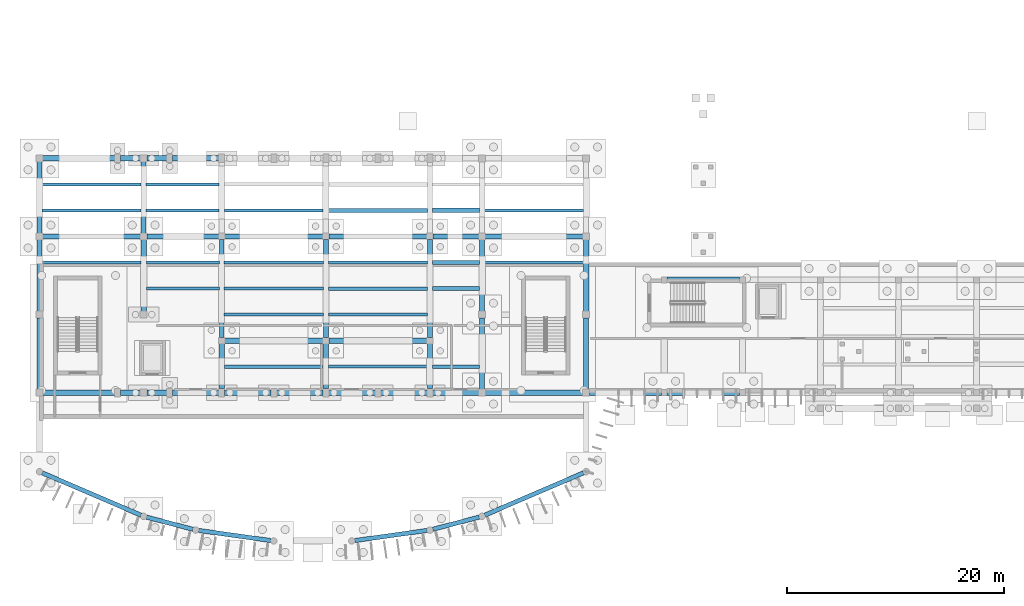
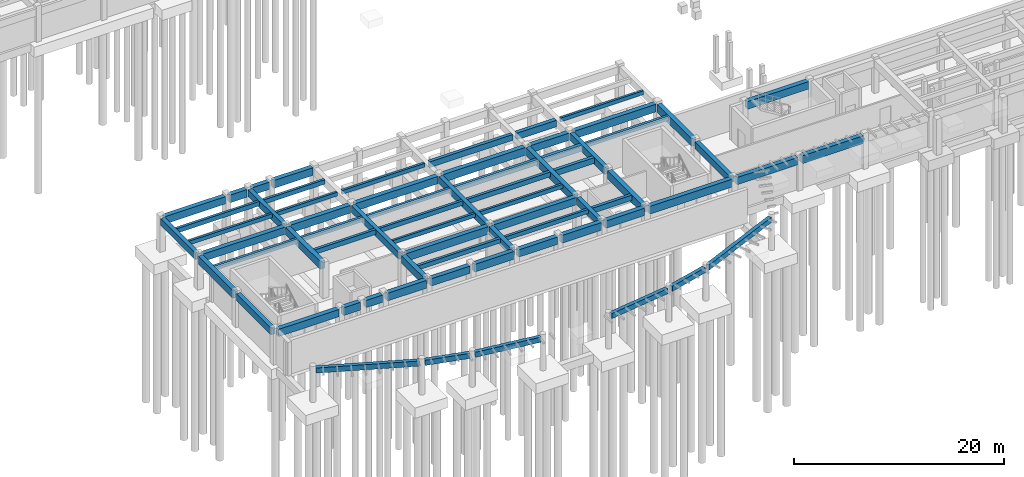
# One storey, part 11 of 31: 69 beams.
"""IFC4 building model written with IfcOpenShell, lengths in metres."""

from ifc_helpers import new_model, si_unit, direction, frame, origin, origin_2d, place, context, subcontext, project, spatial, rectangle, extrude, material, material_profile, profile_set, type_object, element, save


model = new_model("IFC4")

# Units and contexts
model_context = context("Model", 3, precision=1e-05, world=origin(), true_north=direction((0.0, 1.0)))
body_context = subcontext(model_context, "Body", "Model", "MODEL_VIEW")
ifc_project = project(units=[si_unit("LENGTHUNIT", "METRE"), si_unit("AREAUNIT", "SQUARE_METRE"), si_unit("VOLUMEUNIT", "CUBIC_METRE"), si_unit("PLANEANGLEUNIT", "RADIAN"), si_unit("MASSUNIT", "GRAM", prefix="KILO")], contexts=[model_context])

# Site, building, storey
site_placement = place(None, origin())
site = spatial("IfcSite", under=ifc_project, at=site_placement, CompositionType="ELEMENT")
building_placement = place(site_placement, origin())
building = spatial("IfcBuilding", under=site, at=building_placement, Name="Brisavento Harbour Community Centre", CompositionType="ELEMENT")
storey_placement = place(building_placement, frame((0.0, 0.0, -4.199951171875)))
storey = spatial("IfcBuildingStorey", under=building, at=storey_placement, Name="B1", CompositionType="ELEMENT", Elevation=-4.199951171875)

# Beams
ifc_material = material(Name="Concrete C35/45", Category="concrete")
ifc_material_profile_1 = material_profile(ifc_material, rectangle(XDim=0.25, YDim=0.449951171875, at=origin_2d()), Name="Concrete C35/45")
ifc_profile_set_1 = profile_set([ifc_material_profile_1], Name="Concrete C35/45")
beam_type_1 = type_object("IfcBeamType", Name="BM-JST-250x450", PredefinedType="JOIST", material=ifc_profile_set_1)
beam_1_placement = place(storey_placement, frame((0.22509765625, 31.199951171875, 3.695068359375), z_axis=(1.0, 0.0, 0.0), x_axis=(0.0, 1.0, 0.0)))
element("IfcBeam", 1, at=beam_1_placement, inside=storey, type_object=beam_type_1, Name="B1 secondary floor joist 0002", PredefinedType="JOIST", context=body_context, shape_type="SweptSolid", body=[
    extrude(rectangle(XDim=0.25, YDim=0.449951171875, at=origin_2d()), origin(), (0.0, 0.0, 1.0), 9.14990234375),
])
beam_2_placement = place(storey_placement, frame((9.824951171875, 31.199951171875, 3.695068359375), z_axis=(1.0, 0.0, 0.0), x_axis=(0.0, 1.0, 0.0)))
element("IfcBeam", 2, at=beam_2_placement, inside=storey, type_object=beam_type_1, Name="B1 secondary floor joist 0024", PredefinedType="JOIST", context=body_context, shape_type="SweptSolid", body=[
    extrude(rectangle(XDim=0.25, YDim=0.449951171875, at=origin_2d()), origin(), (0.0, 0.0, 1.0), 6.72509765625),
])
beam_3_placement = place(storey_placement, frame((17.02490234375, 21.60009765625, 3.695068359375), z_axis=(1.0, 0.0, 0.0), x_axis=(0.0, 1.0, 0.0)))
element("IfcBeam", 3, at=beam_3_placement, inside=storey, type_object=beam_type_1, Name="B1 secondary floor joist 0035", PredefinedType="JOIST", context=body_context, shape_type="SweptSolid", body=[
    extrude(rectangle(XDim=0.25, YDim=0.449951171875, at=origin_2d()), origin(), (0.0, 0.0, 1.0), 9.150146484375),
])
beam_4_placement = place(storey_placement, frame((41.050048828125, 31.199951171875, 3.695068359375), z_axis=(1.0, 0.0, 0.0), x_axis=(0.0, 1.0, 0.0)))
element("IfcBeam", 4, at=beam_4_placement, inside=storey, type_object=beam_type_1, Name="B1 secondary floor joist 0068", PredefinedType="JOIST", context=body_context, shape_type="SweptSolid", body=[
    extrude(rectangle(XDim=0.25, YDim=0.449951171875, at=origin_2d()), origin(), (0.0, 0.0, 1.0), 9.125),
])
ifc_material_profile_2 = material_profile(ifc_material, rectangle(XDim=0.260009765625, YDim=0.4599609375, at=origin_2d()), Name="Concrete C35/45")
ifc_profile_set_2 = profile_set([ifc_material_profile_2], Name="Concrete C35/45")
beam_type_2 = type_object("IfcBeamType", Name="BM-JST-260x460", PredefinedType="JOIST", material=ifc_profile_set_2)
beam_5_placement = place(storey_placement, frame((17.050048828125, 31.199951171875, 3.68994140625), z_axis=(1.0, 0.0, 0.0), x_axis=(0.0, 1.0, 0.0)))
element("IfcBeam", 5, at=beam_5_placement, inside=storey, type_object=beam_type_2, Name="B1 secondary floor joist 0038", PredefinedType="JOIST", context=body_context, shape_type="SweptSolid", body=[
    extrude(rectangle(XDim=0.260009765625, YDim=0.4599609375, at=origin_2d()), origin(), (0.0, 0.0, 1.0), 9.099853515625),
])
beam_6_placement = place(storey_placement, frame((26.625, 21.60009765625, 3.68994140625), z_axis=(1.0, 0.0, 0.0), x_axis=(0.0, 1.0, 0.0)))
element("IfcBeam", 6, at=beam_6_placement, inside=storey, type_object=beam_type_2, Name="B1 secondary floor joist 0049", PredefinedType="JOIST", context=body_context, shape_type="SweptSolid", body=[
    extrude(rectangle(XDim=0.260009765625, YDim=0.4599609375, at=origin_2d()), origin(), (0.0, 0.0, 1.0), 9.125),
])
ifc_material_profile_3 = material_profile(ifc_material, rectangle(XDim=0.280029296875, YDim=0.47998046875, at=origin_2d()), Name="Concrete C35/45")
ifc_profile_set_3 = profile_set([ifc_material_profile_3], Name="Concrete C35/45")
beam_type_3 = type_object("IfcBeamType", Name="BM-JST-280x480", PredefinedType="JOIST", material=ifc_profile_set_3)
beam_7_placement = place(storey_placement, frame((17.02490234375, 26.39990234375, 3.679931640625), z_axis=(1.0, 0.0, 0.0), x_axis=(0.0, 1.0, 0.0)))
element("IfcBeam", 7, at=beam_7_placement, inside=storey, type_object=beam_type_3, Name="B1 secondary floor joist 0037", PredefinedType="JOIST", context=body_context, shape_type="SweptSolid", body=[
    extrude(rectangle(XDim=0.280029296875, YDim=0.47998046875, at=origin_2d()), origin(), (0.0, 0.0, 1.0), 9.150146484375),
])
beam_8_placement = place(storey_placement, frame((26.64990234375, 16.800048828125, 3.679931640625), z_axis=(1.0, 0.0, 0.0), x_axis=(0.0, 1.0, 0.0)))
element("IfcBeam", 8, at=beam_8_placement, inside=storey, type_object=beam_type_3, Name="B1 secondary floor joist 0048", PredefinedType="JOIST", context=body_context, shape_type="SweptSolid", body=[
    extrude(rectangle(XDim=0.280029296875, YDim=0.47998046875, at=origin_2d()), origin(), (0.0, 0.0, 1.0), 9.125),
])
ifc_material_profile_4 = material_profile(ifc_material, rectangle(XDim=0.280029296875, YDim=0.52001953125, at=origin_2d()), Name="Concrete C35/45")
ifc_profile_set_4 = profile_set([ifc_material_profile_4], Name="Concrete C35/45")
beam_type_4 = type_object("IfcBeamType", Name="BM-JST-280x520", PredefinedType="JOIST", material=ifc_profile_set_4)
beam_9_placement = place(storey_placement, frame((0.22509765625, 33.60009765625, 3.659912109375), z_axis=(1.0, 0.0, 0.0), x_axis=(0.0, 1.0, 0.0)))
element("IfcBeam", 9, at=beam_9_placement, inside=storey, type_object=beam_type_4, Name="B1 secondary floor joist 0003", PredefinedType="JOIST", context=body_context, shape_type="SweptSolid", body=[
    extrude(rectangle(XDim=0.280029296875, YDim=0.52001953125, at=origin_2d()), origin(), (0.0, 0.0, 1.0), 9.14990234375),
])
beam_10_placement = place(storey_placement, frame((9.824951171875, 33.60009765625, 3.659912109375), z_axis=(1.0, 0.0, 0.0), x_axis=(0.0, 1.0, 0.0)))
element("IfcBeam", 10, at=beam_10_placement, inside=storey, type_object=beam_type_4, Name="B1 secondary floor joist 0025", PredefinedType="JOIST", context=body_context, shape_type="SweptSolid", body=[
    extrude(rectangle(XDim=0.280029296875, YDim=0.52001953125, at=origin_2d()), origin(), (0.0, 0.0, 1.0), 6.72509765625),
])
beam_11_placement = place(storey_placement, frame((17.02490234375, 24.0, 3.659912109375), z_axis=(1.0, 0.0, 0.0), x_axis=(0.0, 1.0, 0.0)))
element("IfcBeam", 11, at=beam_11_placement, inside=storey, type_object=beam_type_4, Name="B1 secondary floor joist 0036", PredefinedType="JOIST", context=body_context, shape_type="SweptSolid", body=[
    extrude(rectangle(XDim=0.280029296875, YDim=0.52001953125, at=origin_2d()), origin(), (0.0, 0.0, 1.0), 9.150146484375),
])
ifc_material_profile_5 = material_profile(ifc_material, rectangle(XDim=0.300048828125, YDim=0.5, at=origin_2d()), Name="Concrete C35/45")
ifc_profile_set_5 = profile_set([ifc_material_profile_5], Name="Concrete C35/45")
beam_type_5 = type_object("IfcBeamType", Name="BM-JST-300x500", PredefinedType="JOIST", material=ifc_profile_set_5)
beam_12_placement = place(storey_placement, frame((0.25, 26.39990234375, 3.669921875), z_axis=(1.0, 0.0, 0.0), x_axis=(0.0, 1.0, 0.0)))
element("IfcBeam", 12, at=beam_12_placement, inside=storey, type_object=beam_type_5, Name="B1 secondary floor joist 0001", PredefinedType="JOIST", context=body_context, shape_type="SweptSolid", body=[
    extrude(rectangle(XDim=0.300048828125, YDim=0.5, at=origin_2d()), origin(), (0.0, 0.0, 1.0), 9.10009765625),
])
beam_13_placement = place(storey_placement, frame((9.85009765625, 26.39990234375, 3.669921875), z_axis=(1.0, 0.0, 0.0), x_axis=(0.0, 1.0, 0.0)))
element("IfcBeam", 13, at=beam_13_placement, inside=storey, type_object=beam_type_5, Name="B1 secondary floor joist 0023", PredefinedType="JOIST", context=body_context, shape_type="SweptSolid", body=[
    extrude(rectangle(XDim=0.300048828125, YDim=0.5, at=origin_2d()), origin(), (0.0, 0.0, 1.0), 6.724853515625),
])
beam_14_placement = place(storey_placement, frame((17.050048828125, 16.800048828125, 3.669921875), z_axis=(1.0, 0.0, 0.0), x_axis=(0.0, 1.0, 0.0)))
element("IfcBeam", 14, at=beam_14_placement, inside=storey, type_object=beam_type_5, Name="B1 secondary floor joist 0034", PredefinedType="JOIST", context=body_context, shape_type="SweptSolid", body=[
    extrude(rectangle(XDim=0.300048828125, YDim=0.5, at=origin_2d()), origin(), (0.0, 0.0, 1.0), 9.099853515625),
])
beam_15_placement = place(storey_placement, frame((41.02490234375, 26.39990234375, 3.669921875), z_axis=(1.0, 0.0, 0.0), x_axis=(0.0, 1.0, 0.0)))
element("IfcBeam", 15, at=beam_15_placement, inside=storey, type_object=beam_type_5, Name="B1 secondary floor joist 0067", PredefinedType="JOIST", context=body_context, shape_type="SweptSolid", body=[
    extrude(rectangle(XDim=0.300048828125, YDim=0.5, at=origin_2d()), origin(), (0.0, 0.0, 1.0), 9.125),
])
ifc_material_profile_6 = material_profile(ifc_material, rectangle(XDim=0.300048828125, YDim=0.550048828125, at=origin_2d()), Name="Concrete C35/45")
ifc_profile_set_6 = profile_set([ifc_material_profile_6], Name="Concrete C35/45")
beam_type_6 = type_object("IfcBeamType", Name="BM-JST-300x550", PredefinedType="JOIST", material=ifc_profile_set_6)
beam_16_placement = place(storey_placement, frame((9.85009765625, 24.0, 3.64501953125), z_axis=(1.0, 0.0, 0.0), x_axis=(0.0, 1.0, 0.0)))
element("IfcBeam", 16, at=beam_16_placement, inside=storey, type_object=beam_type_6, Name="B1 secondary floor joist 0022", PredefinedType="JOIST", context=body_context, shape_type="SweptSolid", body=[
    extrude(rectangle(XDim=0.300048828125, YDim=0.550048828125, at=origin_2d()), origin(), (0.0, 0.0, 1.0), 6.724853515625),
])
ifc_material_profile_7 = material_profile(ifc_material, rectangle(XDim=0.320068359375, YDim=0.56005859375, at=origin_2d()), Name="Concrete C35/45")
ifc_profile_set_7 = profile_set([ifc_material_profile_7], Name="Concrete C35/45")
beam_type_7 = type_object("IfcBeamType", Name="BM-JST-320x560", PredefinedType="JOIST", material=ifc_profile_set_7)
beam_17_placement = place(storey_placement, frame((26.625, 24.0, 3.639892578125), z_axis=(1.0, 0.0, 0.0), x_axis=(0.0, 1.0, 0.0)))
element("IfcBeam", 17, at=beam_17_placement, inside=storey, type_object=beam_type_7, Name="B1 secondary floor joist 0050", PredefinedType="JOIST", context=body_context, shape_type="SweptSolid", body=[
    extrude(rectangle(XDim=0.320068359375, YDim=0.56005859375, at=origin_2d()), origin(), (0.0, 0.0, 1.0), 9.125),
])
ifc_material_profile_8 = material_profile(ifc_material, rectangle(XDim=0.320068359375, YDim=0.6201171875, at=origin_2d()), Name="Concrete C35/45")
ifc_profile_set_8 = profile_set([ifc_material_profile_8], Name="Concrete C35/45")
beam_type_8 = type_object("IfcBeamType", Name="BM-JST-320x620", PredefinedType="JOIST", material=ifc_profile_set_8)
beam_18_placement = place(storey_placement, frame((26.625, 26.39990234375, 3.60986328125), z_axis=(1.0, 0.0, 0.0), x_axis=(0.0, 1.0, 0.0)))
element("IfcBeam", 18, at=beam_18_placement, inside=storey, type_object=beam_type_8, Name="B1 secondary floor joist 0051", PredefinedType="JOIST", context=body_context, shape_type="SweptSolid", body=[
    extrude(rectangle(XDim=0.320068359375, YDim=0.6201171875, at=origin_2d()), origin(), (0.0, 0.0, 1.0), 9.125),
])
beam_19_placement = place(storey_placement, frame((36.22509765625, 16.800048828125, 3.60986328125), z_axis=(1.0, 0.0, 0.0), x_axis=(0.0, 1.0, 0.0)))
element("IfcBeam", 19, at=beam_19_placement, inside=storey, type_object=beam_type_8, Name="B1 secondary floor joist 0062", PredefinedType="JOIST", context=body_context, shape_type="SweptSolid", body=[
    extrude(rectangle(XDim=0.320068359375, YDim=0.6201171875, at=origin_2d()), origin(), (0.0, 0.0, 1.0), 4.324951171875),
])
ifc_material_profile_9 = material_profile(ifc_material, rectangle(XDim=0.360107421875, YDim=0.679931640625, at=origin_2d()), Name="Concrete C35/45")
ifc_profile_set_9 = profile_set([ifc_material_profile_9], Name="Concrete C35/45")
beam_type_9 = type_object("IfcBeamType", Name="BM-JST-360x680", PredefinedType="JOIST", material=ifc_profile_set_9)
beam_20_placement = place(storey_placement, frame((26.64990234375, 31.199951171875, 3.579833984375), z_axis=(1.0, 0.0, 0.0), x_axis=(0.0, 1.0, 0.0)))
element("IfcBeam", 20, at=beam_20_placement, inside=storey, type_object=beam_type_9, Name="B1 secondary floor joist 0052", PredefinedType="JOIST", context=body_context, shape_type="SweptSolid", body=[
    extrude(rectangle(XDim=0.360107421875, YDim=0.679931640625, at=origin_2d()), origin(), (0.0, 0.0, 1.0), 9.125),
])
beam_21_placement = place(storey_placement, frame((36.25, 24.0, 3.579833984375), z_axis=(1.0, 0.0, 0.0), x_axis=(0.0, 1.0, 0.0)))
element("IfcBeam", 21, at=beam_21_placement, inside=storey, type_object=beam_type_9, Name="B1 secondary floor joist 0063", PredefinedType="JOIST", context=body_context, shape_type="SweptSolid", body=[
    extrude(rectangle(XDim=0.360107421875, YDim=0.679931640625, at=origin_2d()), origin(), (0.0, 0.0, 1.0), 4.324951171875),
])
ifc_material_profile_10 = material_profile(ifc_material, rectangle(XDim=0.3798828125, YDim=0.719970703125, at=origin_2d()), Name="Concrete C35/45")
ifc_profile_set_10 = profile_set([ifc_material_profile_10], Name="Concrete C35/45")
beam_type_10 = type_object("IfcBeamType", Name="BM-JST-380x720", PredefinedType="JOIST", material=ifc_profile_set_10)
beam_22_placement = place(storey_placement, frame((36.25, 26.39990234375, 3.56005859375), z_axis=(1.0, 0.0, 0.0), x_axis=(0.0, 1.0, 0.0)))
element("IfcBeam", 22, at=beam_22_placement, inside=storey, type_object=beam_type_10, Name="B1 secondary floor joist 0064", PredefinedType="JOIST", context=body_context, shape_type="SweptSolid", body=[
    extrude(rectangle(XDim=0.3798828125, YDim=0.719970703125, at=origin_2d()), origin(), (0.0, 0.0, 1.0), 4.324951171875),
])
ifc_material_profile_11 = material_profile(ifc_material, rectangle(XDim=0.419921875, YDim=0.760009765625, at=origin_2d()), Name="Concrete C35/45")
ifc_profile_set_11 = profile_set([ifc_material_profile_11], Name="Concrete C35/45")
beam_type_11 = type_object("IfcBeamType", Name="BM-JST-420x760", PredefinedType="JOIST", material=ifc_profile_set_11)
beam_23_placement = place(storey_placement, frame((36.22509765625, 31.199951171875, 3.5400390625), z_axis=(1.0, 0.0, 0.0), x_axis=(0.0, 1.0, 0.0)))
element("IfcBeam", 23, at=beam_23_placement, inside=storey, type_object=beam_type_11, Name="B1 secondary floor joist 0065", PredefinedType="JOIST", context=body_context, shape_type="SweptSolid", body=[
    extrude(rectangle(XDim=0.419921875, YDim=0.760009765625, at=origin_2d()), origin(), (0.0, 0.0, 1.0), 4.324951171875),
])
ifc_material_profile_12 = material_profile(ifc_material, rectangle(XDim=0.449951171875, YDim=0.800048828125, at=origin_2d()), Name="Concrete C35/45")
ifc_profile_set_12 = profile_set([ifc_material_profile_12], Name="Concrete C35/45")
beam_type_12 = type_object("IfcBeamType", Name="BM-RC-450x800", PredefinedType="BEAM", material=ifc_profile_set_12)
beam_24_placement = place(storey_placement, frame((0.0, 14.695068359375, 3.52001953125), z_axis=(0.0, 1.0, 0.0), x_axis=(-1.0, 0.0, 0.0)))
element("IfcBeam", 24, at=beam_24_placement, inside=storey, type_object=beam_type_12, Name="B1 primary girder Y0121", PredefinedType="BEAM", context=body_context, shape_type="SweptSolid", body=[
    extrude(rectangle(XDim=0.449951171875, YDim=0.800048828125, at=origin_2d()), origin(), (0.0, 0.0, 1.0), 6.60986328125),
])
for number, where, z_axis, x_axis, name in (
    (25, (0.0, 29.094970703125, 3.52001953125), (0.0, 1.0, 0.0), (-1.0, 0.0, 0.0), "B1 primary girder Y0123"),
    (26, (9.60009765625, 29.094970703125, 3.52001953125), (0.0, 1.0, 0.0), (-1.0, 0.0, 0.0), "B1 primary girder Y0135"),
):
    element("IfcBeam", number, at=place(storey_placement, frame(where, z_axis=z_axis, x_axis=x_axis)), inside=storey, type_object=beam_type_12, Name=name, PredefinedType="BEAM", context=body_context, shape_type="SweptSolid", body=[
        extrude(rectangle(XDim=0.449951171875, YDim=0.800048828125, at=origin_2d()), origin(), (0.0, 0.0, 1.0), 6.610107421875),
    ])
for number, where, z_axis, x_axis, name in (
    (27, (16.800048828125, 19.469970703125, 3.52001953125), (0.0, 1.0, 0.0), (-1.0, 0.0, 0.0), "B1 primary girder Y0141"),
    (28, (26.39990234375, 19.469970703125, 3.52001953125), (0.0, 1.0, 0.0), (-1.0, 0.0, 0.0), "B1 primary girder Y0149"),
):
    element("IfcBeam", number, at=place(storey_placement, frame(where, z_axis=z_axis, x_axis=x_axis)), inside=storey, type_object=beam_type_12, Name=name, PredefinedType="BEAM", context=body_context, shape_type="SweptSolid", body=[
        extrude(rectangle(XDim=0.449951171875, YDim=0.800048828125, at=origin_2d()), origin(), (0.0, 0.0, 1.0), 9.06005859375),
    ])
beam_25_placement = place(storey_placement, frame((36.0, 14.77001953125, 3.52001953125), z_axis=(0.0, 1.0, 0.0), x_axis=(-1.0, 0.0, 0.0)))
element("IfcBeam", 29, at=beam_25_placement, inside=storey, type_object=beam_type_12, Name="B1 primary girder Y0155", PredefinedType="BEAM", context=body_context, shape_type="SweptSolid", body=[
    extrude(rectangle(XDim=0.449951171875, YDim=0.800048828125, at=origin_2d()), origin(), (0.0, 0.0, 1.0), 4.159912109375),
])
for number, where, z_axis, x_axis, name in (
    (30, (40.800048828125, 21.89501953125, 3.52001953125), (0.0, 1.0, 0.0), (-1.0, 0.0, 0.0), "B1 primary girder Y0163"),
    (31, (50.39990234375, 14.695068359375, 3.52001953125), (0.0, 1.0, 0.0), (-1.0, 0.0, 0.0), "B1 primary girder Y0165"),
):
    element("IfcBeam", number, at=place(storey_placement, frame(where, z_axis=z_axis, x_axis=x_axis)), inside=storey, type_object=beam_type_12, Name=name, PredefinedType="BEAM", context=body_context, shape_type="SweptSolid", body=[
        extrude(rectangle(XDim=0.449951171875, YDim=0.800048828125, at=origin_2d()), origin(), (0.0, 0.0, 1.0), 6.60986328125),
    ])
ifc_material_profile_13 = material_profile(ifc_material, rectangle(XDim=0.5, YDim=0.85009765625, at=origin_2d()), Name="Concrete C35/45")
ifc_profile_set_13 = profile_set([ifc_material_profile_13], Name="Concrete C35/45")
beam_type_13 = type_object("IfcBeamType", Name="BM-RC-500x850", PredefinedType="BEAM", material=ifc_profile_set_13)
beam_26_placement = place(storey_placement, frame((0.294921875, 14.39990234375, 3.494873046875), z_axis=(1.0, 0.0, 0.0), x_axis=(0.0, 1.0, 0.0)))
element("IfcBeam", 32, at=beam_26_placement, inside=storey, type_object=beam_type_13, Name="B1 primary girder X0001", PredefinedType="BEAM", context=body_context, shape_type="SweptSolid", body=[
    extrude(rectangle(XDim=0.5, YDim=0.85009765625, at=origin_2d()), origin(), (0.0, 0.0, 1.0), 6.66015625),
])
beam_27_placement = place(storey_placement, frame((9.89501953125, 14.39990234375, 3.494873046875), z_axis=(1.0, 0.0, 0.0), x_axis=(0.0, 1.0, 0.0)))
element("IfcBeam", 33, at=beam_27_placement, inside=storey, type_object=beam_type_13, Name="B1 primary girder X0003", PredefinedType="BEAM", context=body_context, shape_type="SweptSolid", body=[
    extrude(rectangle(XDim=0.5, YDim=0.85009765625, at=origin_2d()), origin(), (0.0, 0.0, 1.0), 1.85986328125),
])
for number, where, z_axis, x_axis, name in (
    (34, (17.044921875, 14.39990234375, 3.494873046875), (1.0, 0.0, 0.0), (0.0, 1.0, 0.0), "B1 primary girder X0005"),
    (35, (26.64501953125, 14.39990234375, 3.494873046875), (1.0, 0.0, 0.0), (0.0, 1.0, 0.0), "B1 primary girder X0007"),
):
    element("IfcBeam", number, at=place(storey_placement, frame(where, z_axis=z_axis, x_axis=x_axis)), inside=storey, type_object=beam_type_13, Name=name, PredefinedType="BEAM", context=body_context, shape_type="SweptSolid", body=[
        extrude(rectangle(XDim=0.5, YDim=0.85009765625, at=origin_2d()), origin(), (0.0, 0.0, 1.0), 4.31005859375),
    ])
beam_28_placement = place(storey_placement, frame((36.2451171875, 14.39990234375, 3.494873046875), z_axis=(1.0, 0.0, 0.0), x_axis=(0.0, 1.0, 0.0)))
element("IfcBeam", 36, at=beam_28_placement, inside=storey, type_object=beam_type_13, Name="B1 primary girder X0009", PredefinedType="BEAM", context=body_context, shape_type="SweptSolid", body=[
    extrude(rectangle(XDim=0.5, YDim=0.85009765625, at=origin_2d()), origin(), (0.0, 0.0, 1.0), 4.259765625),
])
beam_29_placement = place(storey_placement, frame((50.695068359375, 14.39990234375, 3.494873046875), z_axis=(1.0, 0.0, 0.0), x_axis=(0.0, 1.0, 0.0)))
element("IfcBeam", 37, at=beam_29_placement, inside=storey, type_object=beam_type_13, Name="B1 primary girder X0011", PredefinedType="BEAM", context=body_context, shape_type="SweptSolid", body=[
    extrude(rectangle(XDim=0.5, YDim=0.85009765625, at=origin_2d()), origin(), (0.0, 0.0, 1.0), 6.659912109375),
])
beam_30_placement = place(storey_placement, frame((26.669921875, 19.199951171875, 3.494873046875), z_axis=(1.0, 0.0, 0.0), x_axis=(0.0, 1.0, 0.0)))
element("IfcBeam", 38, at=beam_30_placement, inside=storey, type_object=beam_type_13, Name="B1 primary girder X0027", PredefinedType="BEAM", context=body_context, shape_type="SweptSolid", body=[
    extrude(rectangle(XDim=0.5, YDim=0.85009765625, at=origin_2d()), origin(), (0.0, 0.0, 1.0), 9.06005859375),
])
beam_31_placement = place(storey_placement, frame((0.294921875, 28.800048828125, 3.494873046875), z_axis=(1.0, 0.0, 0.0), x_axis=(0.0, 1.0, 0.0)))
element("IfcBeam", 39, at=beam_31_placement, inside=storey, type_object=beam_type_13, Name="B1 primary girder X0051", PredefinedType="BEAM", context=body_context, shape_type="SweptSolid", body=[
    extrude(rectangle(XDim=0.5, YDim=0.85009765625, at=origin_2d()), origin(), (0.0, 0.0, 1.0), 9.010009765625),
])
beam_32_placement = place(storey_placement, frame((17.070068359375, 28.800048828125, 3.494873046875), z_axis=(1.0, 0.0, 0.0), x_axis=(0.0, 1.0, 0.0)))
element("IfcBeam", 40, at=beam_32_placement, inside=storey, type_object=beam_type_13, Name="B1 primary girder X0053", PredefinedType="BEAM", context=body_context, shape_type="SweptSolid", body=[
    extrude(rectangle(XDim=0.5, YDim=0.85009765625, at=origin_2d()), origin(), (0.0, 0.0, 1.0), 9.059814453125),
])
beam_33_placement = place(storey_placement, frame((36.27001953125, 28.800048828125, 3.494873046875), z_axis=(1.0, 0.0, 0.0), x_axis=(0.0, 1.0, 0.0)))
element("IfcBeam", 41, at=beam_33_placement, inside=storey, type_object=beam_type_13, Name="B1 primary girder X0055", PredefinedType="BEAM", context=body_context, shape_type="SweptSolid", body=[
    extrude(rectangle(XDim=0.5, YDim=0.85009765625, at=origin_2d()), origin(), (0.0, 0.0, 1.0), 4.23486328125),
])
beam_34_placement = place(storey_placement, frame((0.294921875, 36.0, 3.494873046875), z_axis=(1.0, 0.0, 0.0), x_axis=(0.0, 1.0, 0.0)))
element("IfcBeam", 42, at=beam_34_placement, inside=storey, type_object=beam_type_13, Name="B1 primary girder X0057", PredefinedType="BEAM", context=body_context, shape_type="SweptSolid", body=[
    extrude(rectangle(XDim=0.5, YDim=0.85009765625, at=origin_2d()), origin(), (0.0, 0.0, 1.0), 6.66015625),
])
beam_35_placement = place(storey_placement, frame((9.89501953125, 36.0, 3.494873046875), z_axis=(1.0, 0.0, 0.0), x_axis=(0.0, 1.0, 0.0)))
element("IfcBeam", 43, at=beam_35_placement, inside=storey, type_object=beam_type_13, Name="B1 primary girder X0059", PredefinedType="BEAM", context=body_context, shape_type="SweptSolid", body=[
    extrude(rectangle(XDim=0.5, YDim=0.85009765625, at=origin_2d()), origin(), (0.0, 0.0, 1.0), 1.85986328125),
])
ifc_material_profile_14 = material_profile(ifc_material, rectangle(XDim=0.5, YDim=0.89990234375, at=origin_2d()), Name="Concrete C35/45")
ifc_profile_set_14 = profile_set([ifc_material_profile_14], Name="Concrete C35/45")
beam_type_14 = type_object("IfcBeamType", Name="BM-RC-500x900", PredefinedType="BEAM", material=ifc_profile_set_14)
beam_36_placement = place(storey_placement, frame((7.445068359375, 14.39990234375, 3.469970703125), z_axis=(1.0, 0.0, 0.0), x_axis=(0.0, 1.0, 0.0)))
element("IfcBeam", 44, at=beam_36_placement, inside=storey, type_object=beam_type_14, Name="B1 primary girder X0002", PredefinedType="BEAM", context=body_context, shape_type="SweptSolid", body=[
    extrude(rectangle(XDim=0.5, YDim=0.89990234375, at=origin_2d()), origin(), (0.0, 0.0, 1.0), 1.85986328125),
])
beam_37_placement = place(storey_placement, frame((12.2451171875, 14.39990234375, 3.469970703125), z_axis=(1.0, 0.0, 0.0), x_axis=(0.0, 1.0, 0.0)))
element("IfcBeam", 45, at=beam_37_placement, inside=storey, type_object=beam_type_14, Name="B1 primary girder X0004", PredefinedType="BEAM", context=body_context, shape_type="SweptSolid", body=[
    extrude(rectangle(XDim=0.5, YDim=0.89990234375, at=origin_2d()), origin(), (0.0, 0.0, 1.0), 4.309814453125),
])
beam_38_placement = place(storey_placement, frame((21.844970703125, 14.39990234375, 3.469970703125), z_axis=(1.0, 0.0, 0.0), x_axis=(0.0, 1.0, 0.0)))
element("IfcBeam", 46, at=beam_38_placement, inside=storey, type_object=beam_type_14, Name="B1 primary girder X0006", PredefinedType="BEAM", context=body_context, shape_type="SweptSolid", body=[
    extrude(rectangle(XDim=0.5, YDim=0.89990234375, at=origin_2d()), origin(), (0.0, 0.0, 1.0), 4.31005859375),
])
beam_39_placement = place(storey_placement, frame((31.445068359375, 14.39990234375, 3.469970703125), z_axis=(1.0, 0.0, 0.0), x_axis=(0.0, 1.0, 0.0)))
element("IfcBeam", 47, at=beam_39_placement, inside=storey, type_object=beam_type_14, Name="B1 primary girder X0008", PredefinedType="BEAM", context=body_context, shape_type="SweptSolid", body=[
    extrude(rectangle(XDim=0.5, YDim=0.89990234375, at=origin_2d()), origin(), (0.0, 0.0, 1.0), 4.309814453125),
])
beam_40_placement = place(storey_placement, frame((41.094970703125, 14.39990234375, 3.469970703125), z_axis=(1.0, 0.0, 0.0), x_axis=(0.0, 1.0, 0.0)))
element("IfcBeam", 48, at=beam_40_placement, inside=storey, type_object=beam_type_14, Name="B1 primary girder X0010", PredefinedType="BEAM", context=body_context, shape_type="SweptSolid", body=[
    extrude(rectangle(XDim=0.5, YDim=0.89990234375, at=origin_2d()), origin(), (0.0, 0.0, 1.0), 9.010009765625),
])
beam_41_placement = place(storey_placement, frame((57.844970703125, 14.39990234375, 3.469970703125), z_axis=(1.0, 0.0, 0.0), x_axis=(0.0, 1.0, 0.0)))
element("IfcBeam", 49, at=beam_41_placement, inside=storey, type_object=beam_type_14, Name="B1 primary girder X0012", PredefinedType="BEAM", context=body_context, shape_type="SweptSolid", body=[
    extrude(rectangle(XDim=0.5, YDim=0.89990234375, at=origin_2d()), origin(), (0.0, 0.0, 1.0), 6.7099609375),
])
beam_42_placement = place(storey_placement, frame((17.070068359375, 19.199951171875, 3.469970703125), z_axis=(1.0, 0.0, 0.0), x_axis=(0.0, 1.0, 0.0)))
element("IfcBeam", 50, at=beam_42_placement, inside=storey, type_object=beam_type_14, Name="B1 primary girder X0026", PredefinedType="BEAM", context=body_context, shape_type="SweptSolid", body=[
    extrude(rectangle(XDim=0.5, YDim=0.89990234375, at=origin_2d()), origin(), (0.0, 0.0, 1.0), 9.059814453125),
])
beam_43_placement = place(storey_placement, frame((57.844970703125, 24.800048828125, 3.469970703125), z_axis=(1.0, 0.0, 0.0), x_axis=(0.0, 1.0, 0.0)))
element("IfcBeam", 51, at=beam_43_placement, inside=storey, type_object=beam_type_14, Name="B1 primary girder X0036", PredefinedType="BEAM", context=body_context, shape_type="SweptSolid", body=[
    extrude(rectangle(XDim=0.5, YDim=0.89990234375, at=origin_2d()), origin(), (0.0, 0.0, 1.0), 6.7099609375),
])
beam_44_placement = place(storey_placement, frame((9.89501953125, 28.800048828125, 3.469970703125), z_axis=(1.0, 0.0, 0.0), x_axis=(0.0, 1.0, 0.0)))
element("IfcBeam", 52, at=beam_44_placement, inside=storey, type_object=beam_type_14, Name="B1 primary girder X0052", PredefinedType="BEAM", context=body_context, shape_type="SweptSolid", body=[
    extrude(rectangle(XDim=0.5, YDim=0.89990234375, at=origin_2d()), origin(), (0.0, 0.0, 1.0), 6.635009765625),
])
beam_45_placement = place(storey_placement, frame((26.669921875, 28.800048828125, 3.469970703125), z_axis=(1.0, 0.0, 0.0), x_axis=(0.0, 1.0, 0.0)))
element("IfcBeam", 53, at=beam_45_placement, inside=storey, type_object=beam_type_14, Name="B1 primary girder X0054", PredefinedType="BEAM", context=body_context, shape_type="SweptSolid", body=[
    extrude(rectangle(XDim=0.5, YDim=0.89990234375, at=origin_2d()), origin(), (0.0, 0.0, 1.0), 9.06005859375),
])
beam_46_placement = place(storey_placement, frame((41.094970703125, 28.800048828125, 3.469970703125), z_axis=(1.0, 0.0, 0.0), x_axis=(0.0, 1.0, 0.0)))
element("IfcBeam", 54, at=beam_46_placement, inside=storey, type_object=beam_type_14, Name="B1 primary girder X0056", PredefinedType="BEAM", context=body_context, shape_type="SweptSolid", body=[
    extrude(rectangle(XDim=0.5, YDim=0.89990234375, at=origin_2d()), origin(), (0.0, 0.0, 1.0), 9.010009765625),
])
beam_47_placement = place(storey_placement, frame((7.445068359375, 36.0, 3.469970703125), z_axis=(1.0, 0.0, 0.0), x_axis=(0.0, 1.0, 0.0)))
element("IfcBeam", 55, at=beam_47_placement, inside=storey, type_object=beam_type_14, Name="B1 primary girder X0058", PredefinedType="BEAM", context=body_context, shape_type="SweptSolid", body=[
    extrude(rectangle(XDim=0.5, YDim=0.89990234375, at=origin_2d()), origin(), (0.0, 0.0, 1.0), 1.85986328125),
])
beam_48_placement = place(storey_placement, frame((12.2451171875, 36.0, 3.469970703125), z_axis=(1.0, 0.0, 0.0), x_axis=(0.0, 1.0, 0.0)))
element("IfcBeam", 56, at=beam_48_placement, inside=storey, type_object=beam_type_14, Name="B1 primary girder X0060", PredefinedType="BEAM", context=body_context, shape_type="SweptSolid", body=[
    extrude(rectangle(XDim=0.5, YDim=0.89990234375, at=origin_2d()), origin(), (0.0, 0.0, 1.0), 4.309814453125),
])
for number, where, z_axis, x_axis, name in (
    (57, (0.0, 21.89501953125, 3.469970703125), (0.0, 1.0, 0.0), (-1.0, 0.0, 0.0), "B1 primary girder Y0122"),
    (58, (9.60009765625, 21.89501953125, 3.469970703125), (0.0, 1.0, 0.0), (-1.0, 0.0, 0.0), "B1 primary girder Y0134"),
):
    element("IfcBeam", number, at=place(storey_placement, frame(where, z_axis=z_axis, x_axis=x_axis)), inside=storey, type_object=beam_type_14, Name=name, PredefinedType="BEAM", context=body_context, shape_type="SweptSolid", body=[
        extrude(rectangle(XDim=0.5, YDim=0.89990234375, at=origin_2d()), origin(), (0.0, 0.0, 1.0), 6.60986328125),
    ])
for number, where, z_axis, x_axis, name in (
    (59, (16.800048828125, 14.77001953125, 3.469970703125), (0.0, 1.0, 0.0), (-1.0, 0.0, 0.0), "B1 primary girder Y0140"),
    (60, (26.39990234375, 14.77001953125, 3.469970703125), (0.0, 1.0, 0.0), (-1.0, 0.0, 0.0), "B1 primary girder Y0148"),
):
    element("IfcBeam", number, at=place(storey_placement, frame(where, z_axis=z_axis, x_axis=x_axis)), inside=storey, type_object=beam_type_14, Name=name, PredefinedType="BEAM", context=body_context, shape_type="SweptSolid", body=[
        extrude(rectangle(XDim=0.5, YDim=0.89990234375, at=origin_2d()), origin(), (0.0, 0.0, 1.0), 4.159912109375),
    ])
beam_49_placement = place(storey_placement, frame((36.0, 19.469970703125, 3.469970703125), z_axis=(0.0, 1.0, 0.0), x_axis=(-1.0, 0.0, 0.0)))
element("IfcBeam", 61, at=beam_49_placement, inside=storey, type_object=beam_type_14, Name="B1 primary girder Y0156", PredefinedType="BEAM", context=body_context, shape_type="SweptSolid", body=[
    extrude(rectangle(XDim=0.5, YDim=0.89990234375, at=origin_2d()), origin(), (0.0, 0.0, 1.0), 9.06005859375),
])
for number, where, z_axis, x_axis, name in (
    (62, (40.800048828125, 14.695068359375, 3.469970703125), (0.0, 1.0, 0.0), (-1.0, 0.0, 0.0), "B1 primary girder Y0162"),
    (63, (50.39990234375, 21.89501953125, 3.469970703125), (0.0, 1.0, 0.0), (-1.0, 0.0, 0.0), "B1 primary girder Y0166"),
):
    element("IfcBeam", number, at=place(storey_placement, frame(where, z_axis=z_axis, x_axis=x_axis)), inside=storey, type_object=beam_type_14, Name=name, PredefinedType="BEAM", context=body_context, shape_type="SweptSolid", body=[
        extrude(rectangle(XDim=0.5, YDim=0.89990234375, at=origin_2d()), origin(), (0.0, 0.0, 1.0), 6.60986328125),
    ])
ifc_material_profile_15 = material_profile(ifc_material, rectangle(XDim=0.39990234375, YDim=0.60009765625, at=origin_2d()), Name="Concrete C35/45")
ifc_profile_set_15 = profile_set([ifc_material_profile_15], Name="Concrete C35/45")
beam_type_15 = type_object("IfcBeamType", Name="BM-SPN-400x600", PredefinedType="SPANDREL", material=ifc_profile_set_15)
beam_50_placement = place(storey_placement, frame((0.248046875, 7.0078125, 3.619873046875), z_axis=(0.918984336736, -0.394294038548, 0.0), x_axis=(0.394294038548, 0.918984336736, 0.0)))
element("IfcBeam", 64, at=beam_50_placement, inside=storey, type_object=beam_type_15, Name="B1 curved perimeter spandrel 0210", PredefinedType="SPANDREL", context=body_context, shape_type="SweptSolid", body=[
    extrude(rectangle(XDim=0.39990234375, YDim=0.60009765625, at=origin_2d()), origin(), (0.0, 0.0, 1.0), 9.90625),
])
beam_51_placement = place(storey_placement, frame((9.861083984375, 2.926513671875, 3.619873046875), z_axis=(0.967170277832, -0.254129206662, 0.0), x_axis=(0.254129206662, 0.967170277832, 0.0)))
element("IfcBeam", 65, at=beam_51_placement, inside=storey, type_object=beam_type_15, Name="B1 curved perimeter spandrel 0211", PredefinedType="SPANDREL", context=body_context, shape_type="SweptSolid", body=[
    extrude(rectangle(XDim=0.39990234375, YDim=0.60009765625, at=origin_2d()), origin(), (0.0, 0.0, 1.0), 4.423095703125),
])
beam_52_placement = place(storey_placement, frame((14.66748046875, 1.6962890625, 3.619873046875), z_axis=(0.990321812662, -0.13879015587, 0.0), x_axis=(0.13879015587, 0.990321812662, 0.0)))
element("IfcBeam", 66, at=beam_52_placement, inside=storey, type_object=beam_type_15, Name="B1 curved perimeter spandrel 0212", PredefinedType="SPANDREL", context=body_context, shape_type="SweptSolid", body=[
    extrude(rectangle(XDim=0.39990234375, YDim=0.60009765625, at=origin_2d()), origin(), (0.0, 0.0, 1.0), 6.730224609375),
])
beam_53_placement = place(storey_placement, frame((29.0673828125, 0.76220703125, 3.619873046875), z_axis=(0.990322511389, 0.138785170088, 0.0), x_axis=(-0.138785170088, 0.990322511389, 0.0)))
element("IfcBeam", 67, at=beam_53_placement, inside=storey, type_object=beam_type_15, Name="B1 curved perimeter spandrel 0213", PredefinedType="SPANDREL", context=body_context, shape_type="SweptSolid", body=[
    extrude(rectangle(XDim=0.39990234375, YDim=0.60009765625, at=origin_2d()), origin(), (0.0, 0.0, 1.0), 6.73046875),
])
beam_54_placement = place(storey_placement, frame((36.260986328125, 1.802490234375, 3.619873046875), z_axis=(0.967170277832, 0.254129206662, 0.0), x_axis=(-0.254129206662, 0.967170277832, 0.0)))
element("IfcBeam", 68, at=beam_54_placement, inside=storey, type_object=beam_type_15, Name="B1 curved perimeter spandrel 0214", PredefinedType="SPANDREL", context=body_context, shape_type="SweptSolid", body=[
    extrude(rectangle(XDim=0.39990234375, YDim=0.60009765625, at=origin_2d()), origin(), (0.0, 0.0, 1.0), 4.423095703125),
])
beam_55_placement = place(storey_placement, frame((41.048095703125, 3.101806640625, 3.619873046875), z_axis=(0.918984336736, 0.394294038548, 0.0), x_axis=(-0.394294038548, 0.918984336736, 0.0)))
element("IfcBeam", 69, at=beam_55_placement, inside=storey, type_object=beam_type_15, Name="B1 curved perimeter spandrel 0215", PredefinedType="SPANDREL", context=body_context, shape_type="SweptSolid", body=[
    extrude(rectangle(XDim=0.39990234375, YDim=0.60009765625, at=origin_2d()), origin(), (0.0, 0.0, 1.0), 9.90625),
])

save(model, "model.ifc")
